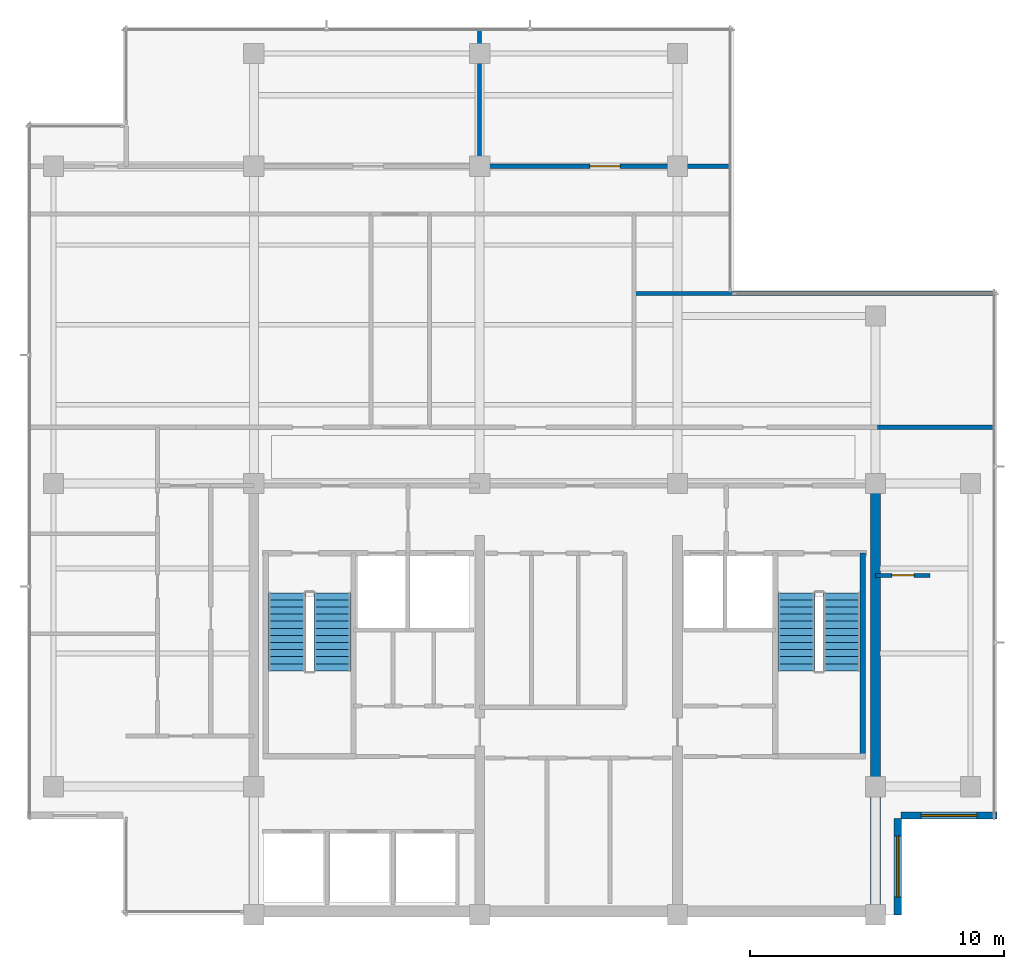
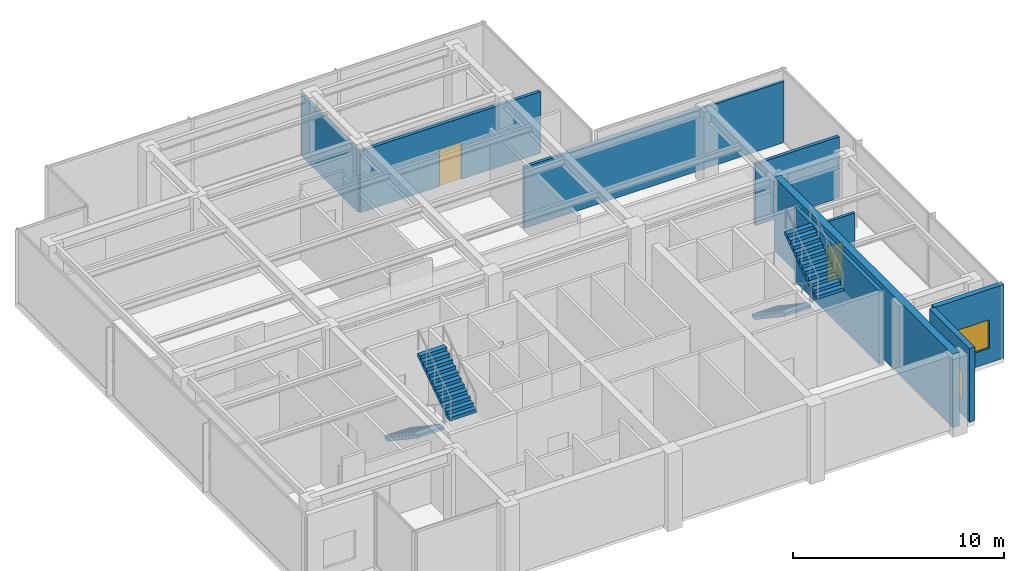
# One storey, part 8 of 11: 9 walls, 4 stair flights, 2 doors, 2 windows, 4 openings, 2 elements without a shape of their own.
"""IFC4 building model written with IfcOpenShell, lengths in metres."""

from ifc_helpers import new_model, si_unit, direction, frame, frame_2d, origin, place, context, subcontext, project, spatial, polyline, rectangle, outline, extrude, material, layer, layer_set, type_object, element, fill, aggregate, save


model = new_model("IFC4")

# Units and contexts
model_context = context("Model", 3, precision=1e-05, world=origin(), true_north=direction((0.0, 1.0)))
body_context = subcontext(model_context, "Body", "Model", "MODEL_VIEW")
ifc_project = project(units=[si_unit("LENGTHUNIT", "METRE"), si_unit("AREAUNIT", "SQUARE_METRE"), si_unit("VOLUMEUNIT", "CUBIC_METRE"), si_unit("PLANEANGLEUNIT", "RADIAN"), si_unit("MASSUNIT", "GRAM", prefix="KILO")], contexts=[model_context])

# Site, building, storey
site_placement = place(None, origin())
site = spatial("IfcSite", under=ifc_project, at=site_placement, CompositionType="ELEMENT")
building_placement = place(site_placement, origin())
building = spatial("IfcBuilding", under=site, at=building_placement, Name="Qalmaran Belvedere Hotel", CompositionType="ELEMENT")
storey_placement = place(building_placement, frame((0.0, 0.0, 280.89990234375)))
storey = spatial("IfcBuildingStorey", under=building, at=storey_placement, Name="L73", CompositionType="ELEMENT", Elevation=280.89990234375)

# Wall
ifc_material_1 = material(Name="Concrete C50/60", Category="concrete")
ifc_layer_1 = layer(ifc_material_1, 0.3798828125, Name="Concrete C50/60")
ifc_layer_set_1 = layer_set([ifc_layer_1], Name="Concrete C50/60")
wall_type_1 = type_object("IfcWallType", Name="WL-CORE-380-C50", PredefinedType="SHEAR", material=ifc_layer_set_1)
wall_1_placement = place(storey_placement, frame((44.800048828125, 3.5, 0.0), z_axis=(0.0, 0.0, 1.0), x_axis=(0.0, 1.0, 0.0)))
element("IfcWall", 1, at=wall_1_placement, inside=storey, type_object=wall_type_1, Name="L73 East Core Shear Wall", PredefinedType="SHEAR", context=body_context, shape_type="SweptSolid", body=[
    extrude(rectangle(XDim=16.89990234375, YDim=0.3798828125, at=frame_2d((8.449951171875, 0.0))), origin(), (0.0, 0.0, 1.0), 4.260009765625),
])

# Wall, opening, window
ifc_material_2 = material(Name="Anodised Bronze Cladding")
ifc_layer_2 = layer(ifc_material_2, 0.280029296875, Name="Anodised Bronze Cladding")
ifc_layer_set_2 = layer_set([ifc_layer_2], Name="Anodised Bronze Cladding")
wall_type_2 = type_object("IfcWallType", Name="WL-EXT-BRNZ-280", PredefinedType="SOLIDWALL", material=ifc_layer_set_2)
wall_2_placement = place(storey_placement, frame((45.679931640625, 3.5, 0.0), z_axis=(0.0, 0.0, 1.0), x_axis=(0.0, 1.0, 0.0)))
wall_2 = element("IfcWall", 2, at=wall_2_placement, inside=storey, type_object=wall_type_2, Name="L73 Corner Notch Wall 1", PredefinedType="SOLIDWALL", context=body_context, shape_type="SweptSolid", body=[
    extrude(rectangle(XDim=3.800048828125, YDim=0.280029296875, at=frame_2d((1.89990234375, 0.0))), origin(), (0.0, 0.0, 1.0), 4.260009765625),
])
opening_1_placement = place(wall_2_placement, frame((0.699951171875, 0.0, 0.85009765625)))
opening_1 = element("IfcOpeningElement", 3, at=opening_1_placement, cuts=wall_2, Name="Opening W-N24", PredefinedType="OPENING", context=body_context, shape_type="SweptSolid", body=[
    extrude(rectangle(XDim=2.39990234375, YDim=1.64990234375, at=frame_2d((1.199951171875, 0.824951171875))), frame((0.0, 0.14990234375, 0.0), z_axis=(0.0, -1.0, 0.0), x_axis=(1.0, 0.0, 0.0)), (0.0, 0.0, 1.0), 0.300048828125),
])
ifc_material_3 = material(Name="Solar-Control Double Glazing", Category="glass")
window_type_1 = type_object("IfcWindowType", Name="WN-NTC-2400X1650", PartitioningType="SINGLE_PANEL", PredefinedType="WINDOW", material=ifc_material_3)
window_1_placement = place(opening_1_placement, origin())
window_1 = element("IfcWindow", 4, at=window_1_placement, inside=storey, type_object=window_type_1, Name="L73 Corner Notch Window 1", OverallHeight=1.64990234375, OverallWidth=2.39990234375, PartitioningType="SINGLE_PANEL", PredefinedType="WINDOW", context=body_context, shape_type="SweptSolid", body=[
    extrude(rectangle(XDim=2.39990234375, YDim=1.64990234375, at=frame_2d((1.199951171875, 0.824951171875))), frame((0.0, 0.030029296875, 0.0), z_axis=(0.0, -1.0, 0.0), x_axis=(1.0, 0.0, 0.0)), (0.0, 0.0, 1.0), 0.06005859375),
])
fill(opening_1, window_1)

wall_3_placement = place(storey_placement, frame((45.800048828125, 7.419921875, 0.0), z_axis=(0.0, 0.0, 1.0), x_axis=(1.0, 0.0, 0.0)))
wall_3 = element("IfcWall", 5, at=wall_3_placement, inside=storey, type_object=wall_type_2, Name="L73 Corner Notch Wall 2", PredefinedType="SOLIDWALL", context=body_context, shape_type="SweptSolid", body=[
    extrude(rectangle(XDim=3.800048828125, YDim=0.280029296875, at=frame_2d((1.89990234375, 0.0))), origin(), (0.0, 0.0, 1.0), 4.260009765625),
])
opening_2_placement = place(wall_3_placement, frame((0.800048828125, 0.0, 0.85009765625)))
opening_2 = element("IfcOpeningElement", 6, at=opening_2_placement, cuts=wall_3, Name="Opening W-N22", PredefinedType="OPENING", context=body_context, shape_type="SweptSolid", body=[
    extrude(rectangle(XDim=2.199951171875, YDim=1.64990234375, at=frame_2d((1.10009765625, 0.824951171875))), frame((0.0, 0.14990234375, 0.0), z_axis=(0.0, -1.0, 0.0), x_axis=(1.0, 0.0, 0.0)), (0.0, 0.0, 1.0), 0.300048828125),
])
window_type_2 = type_object("IfcWindowType", Name="WN-NTC-2200X1650", PartitioningType="SINGLE_PANEL", PredefinedType="WINDOW", material=ifc_material_3)
window_2_placement = place(opening_2_placement, origin())
window_2 = element("IfcWindow", 7, at=window_2_placement, inside=storey, type_object=window_type_2, Name="L73 Corner Notch Window 2", OverallHeight=1.64990234375, OverallWidth=2.199951171875, PartitioningType="SINGLE_PANEL", PredefinedType="WINDOW", context=body_context, shape_type="SweptSolid", body=[
    extrude(rectangle(XDim=2.199951171875, YDim=1.64990234375, at=frame_2d((1.10009765625, 0.824951171875))), frame((0.0, 0.030029296875, 0.0), z_axis=(0.0, -1.0, 0.0), x_axis=(1.0, 0.0, 0.0)), (0.0, 0.0, 1.0), 0.06005859375),
])
fill(opening_2, window_2)

# Wall, opening, door
ifc_material_4 = material(Name="Gypsum Stud Partition")
ifc_layer_3 = layer(ifc_material_4, 0.159912109375, Name="Gypsum Stud Partition")
ifc_layer_set_3 = layer_set([ifc_layer_3], Name="Gypsum Stud Partition")
wall_type_3 = type_object("IfcWallType", Name="WL-INT-160-EI60", PredefinedType="PARTITIONING", material=ifc_layer_set_3)
wall_4_placement = place(storey_placement, frame((44.800048828125, 16.8798828125, 0.0), z_axis=(0.0, 0.0, 1.0), x_axis=(1.0, 0.0, 0.0)))
wall_4 = element("IfcWall", 8, at=wall_4_placement, inside=storey, type_object=wall_type_3, Name="L73 Partition WL-L73-ECE", PredefinedType="PARTITIONING", context=body_context, shape_type="SweptSolid", body=[
    extrude(rectangle(XDim=2.14990234375, YDim=0.159912109375, at=frame_2d((1.074951171875, 0.0))), origin(), (0.0, 0.0, 1.0), 3.550048828125),
])
opening_3_placement = place(wall_4_placement, frame((1.52978515625, 0.0, 0.0), z_axis=(0.0, 0.0, 1.0), x_axis=(-1.0, 0.0, 0.0)))
opening_3 = element("IfcOpeningElement", 9, at=opening_3_placement, cuts=wall_4, Name="Opening FD60B", PredefinedType="OPENING", context=body_context, shape_type="SweptSolid", body=[
    extrude(rectangle(XDim=0.8798828125, YDim=2.080078125, at=frame_2d((0.43994140625, 1.0400390625))), frame((0.0, 0.08984375, 0.0), z_axis=(0.0, -1.0, 0.0), x_axis=(1.0, 0.0, 0.0)), (0.0, 0.0, 1.0), 0.179931640625),
])
ifc_material_5 = material(Name="Steel S355JR", Category="steel")
door_type_1 = type_object("IfcDoorType", Name="DR-FD60B-880X2080", OperationType="NOTDEFINED", PredefinedType="DOOR", material=ifc_material_5)
door_1_placement = place(opening_3_placement, origin())
door_1 = element("IfcDoor", 10, at=door_1_placement, inside=storey, type_object=door_type_1, Name="L73 Sky Finishing Kitchen Door", OperationType="SINGLE_SWING_LEFT", OverallHeight=2.080078125, OverallWidth=0.8798828125, PredefinedType="DOOR", context=body_context, shape_type="SweptSolid", body=[
    extrude(rectangle(XDim=0.8798828125, YDim=2.080078125, at=frame_2d((0.43994140625, 1.0400390625))), frame((0.0, 0.02490234375, 0.0), z_axis=(0.0, -1.0, 0.0), x_axis=(1.0, 0.0, 0.0)), (0.0, 0.0, 1.0), 0.050048828125),
])
fill(opening_3, door_1)

# Walls
wall_5_placement = place(storey_placement, frame((35.280029296875, 27.97998046875, 0.0), z_axis=(0.0, 0.0, 1.0), x_axis=(1.0, 0.0, 0.0)))
element("IfcWall", 11, at=wall_5_placement, inside=storey, type_object=wall_type_3, Name="L73 Partition WL-L73-SOMN", PredefinedType="PARTITIONING", context=body_context, shape_type="SweptSolid", body=[
    extrude(rectangle(XDim=14.199951171875, YDim=0.159912109375, at=frame_2d((7.10009765625, 0.0))), origin(), (0.0, 0.0, 1.0), 3.550048828125),
])
wall_6_placement = place(storey_placement, frame((29.199951171875, 33.0, 0.0), z_axis=(0.0, 0.0, 1.0), x_axis=(0.0, 1.0, 0.0)))
element("IfcWall", 12, at=wall_6_placement, inside=storey, type_object=wall_type_3, Name="L73 Partition WL-L73-NFV1", PredefinedType="PARTITIONING", context=body_context, shape_type="SweptSolid", body=[
    extrude(rectangle(XDim=5.3798828125, YDim=0.159912109375, at=frame_2d((2.68994140625, 0.0))), origin(), (0.0, 0.0, 1.0), 3.550048828125),
])
ifc_layer_4 = layer(ifc_material_4, 0.179931640625, Name="Gypsum Stud Partition")
ifc_layer_set_4 = layer_set([ifc_layer_4], Name="Gypsum Stud Partition")
wall_type_4 = type_object("IfcWallType", Name="WL-INT-180-EI60", PredefinedType="PARTITIONING", material=ifc_layer_set_4)
wall_7_placement = place(storey_placement, frame((44.8798828125, 22.719970703125, 0.0), z_axis=(0.0, 0.0, 1.0), x_axis=(1.0, 0.0, 0.0)))
element("IfcWall", 13, at=wall_7_placement, inside=storey, type_object=wall_type_4, Name="L73 Partition WL-L73-MCS2C", PredefinedType="PARTITIONING", context=body_context, shape_type="SweptSolid", body=[
    extrude(rectangle(XDim=4.60009765625, YDim=0.179931640625, at=frame_2d((2.300048828125, 0.0))), origin(), (0.0, 0.0, 1.0), 3.550048828125),
])

# Wall, opening, door
wall_8_placement = place(storey_placement, frame((29.199951171875, 33.0, 0.0), z_axis=(0.0, 0.0, 1.0), x_axis=(1.0, 0.0, 0.0)))
wall_8 = element("IfcWall", 14, at=wall_8_placement, inside=storey, type_object=wall_type_4, Name="L73 Partition WL-L73-NF33D2", PredefinedType="PARTITIONING", context=body_context, shape_type="SweptSolid", body=[
    extrude(rectangle(XDim=9.880126953125, YDim=0.179931640625, at=frame_2d((4.93994140625, 0.0))), origin(), (0.0, 0.0, 1.0), 3.550048828125),
])
opening_4_placement = place(wall_8_placement, frame((4.340087890625, 0.0, 0.0)))
opening_4 = element("IfcOpeningElement", 15, at=opening_4_placement, cuts=wall_8, Name="Opening FD60P", PredefinedType="OPENING", context=body_context, shape_type="SweptSolid", body=[
    extrude(rectangle(XDim=1.199951171875, YDim=2.139892578125, at=frame_2d((0.60009765625, 1.06982421875))), frame((0.0, 0.10009765625, 0.0), z_axis=(0.0, -1.0, 0.0), x_axis=(1.0, 0.0, 0.0)), (0.0, 0.0, 1.0), 0.199951171875),
])
ifc_material_6 = material(Name="Engineered Oak Veneer")
door_type_2 = type_object("IfcDoorType", Name="DR-FD60P-1200X2140", OperationType="NOTDEFINED", PredefinedType="DOOR", material=ifc_material_6)
door_2_placement = place(opening_4_placement, origin())
door_2 = element("IfcDoor", 16, at=door_2_placement, inside=storey, type_object=door_type_2, Name="L73 Panoramic Dining Salon Door", OperationType="DOUBLE_DOOR_SINGLE_SWING", OverallHeight=2.139892578125, OverallWidth=1.199951171875, PredefinedType="DOOR", context=body_context, shape_type="SweptSolid", body=[
    extrude(rectangle(XDim=1.199951171875, YDim=2.139892578125, at=frame_2d((0.60009765625, 1.06982421875))), frame((0.0, 0.02490234375, 0.0), z_axis=(0.0, -1.0, 0.0), x_axis=(1.0, 0.0, 0.0)), (0.0, 0.0, 1.0), 0.050048828125),
])
fill(opening_4, door_2)

# Wall
ifc_layer_5 = layer(ifc_material_1, 0.2099609375, Name="Concrete C50/60")
ifc_layer_set_5 = layer_set([ifc_layer_5], Name="Concrete C50/60")
wall_type_5 = type_object("IfcWallType", Name="WL-STAIR-210-C50", PredefinedType="SHEAR", material=ifc_layer_set_5)
wall_9_placement = place(storey_placement, frame((44.304931640625, 9.7451171875, 0.0), z_axis=(0.0, 0.0, 1.0), x_axis=(0.0, 1.0, 0.0)))
element("IfcWall", 17, at=wall_9_placement, inside=storey, type_object=wall_type_5, Name="L73 Stair ST-2 East Bearing Wall", PredefinedType="SHEAR", context=body_context, shape_type="SweptSolid", body=[
    extrude(rectangle(XDim=8.009765625, YDim=0.2099609375, at=frame_2d((4.0048828125, 0.0))), origin(), (0.0, 0.0, 1.0), 4.260009765625),
])

# Stair, stair flights
ifc_material_7 = material(Name="Concrete C40/50", Category="concrete")
stair_type_1 = type_object("IfcStairType", Name="STR-ST-1-1450-R1875", PredefinedType="HALF_TURN_STAIR", material=ifc_material_7)
stair_1_placement = place(storey_placement, origin())
stair_1 = element("IfcStair", 18, at=stair_1_placement, inside=storey, type_object=stair_type_1, Name="L73 West Core Exit Stair ST-1", PredefinedType="HALF_TURN_STAIR")
ifc_layer_6 = layer(ifc_material_7, 0.14990234375, Name="Concrete C40/50")
ifc_layer_set_6 = layer_set([ifc_layer_6], Name="Concrete C40/50")
stair_flight_type_1 = type_object("IfcStairFlightType", Name="STF-ST-1-1450-R1875", PredefinedType="STRAIGHT", material=ifc_layer_set_6)
stair_flight_1_placement = place(storey_placement, frame((21.60498046875, 16.18994140625, 0.0), z_axis=(0.0, 0.0, 1.0), x_axis=(0.0, -1.0, 0.0)))
stair_flight_1 = element("IfcStairFlight", 19, at=stair_flight_1_placement, type_object=stair_flight_type_1, Name="ST-1 flight 1", NumberOfRisers=12, NumberOfTreads=11, PredefinedType="STRAIGHT", RiserHeight=0.1875, TreadLength=0.28, context=body_context, shape_type="SweptSolid", body=[
    extrude(outline(polyline([(0.0, 0.0), (0.0, 0.1875), (0.280029296875, 0.1875), (0.280029296875, 0.375), (0.56005859375, 0.375), (0.56005859375, 0.5625), (0.840087890625, 0.5625), (0.840087890625, 0.75), (1.1201171875, 0.75), (1.1201171875, 0.9375), (1.39990234375, 0.9375), (1.39990234375, 1.125), (1.679931640625, 1.125), (1.679931640625, 1.3125), (1.9599609375, 1.3125), (1.9599609375, 1.5), (2.239990234375, 1.5), (2.239990234375, 1.6875), (2.52001953125, 1.6875), (2.52001953125, 1.875), (2.800048828125, 1.875), (2.800048828125, 2.0625), (3.080078125, 2.0625), (3.080078125, 2.25), (3.080078125, 1.882080078125), (0.26953125, 0.0), (0.0, 0.0)])), frame((0.0, 0.72509765625, 0.0), z_axis=(0.0, -1.0, 0.0), x_axis=(1.0, 0.0, 0.0)), (0.0, 0.0, 1.0), 1.449951171875),
])
stair_flight_2_placement = place(storey_placement, frame((23.39501953125, 13.110107421875, 2.25), z_axis=(0.0, 0.0, 1.0), x_axis=(0.0, 1.0, 0.0)))
stair_flight_2 = element("IfcStairFlight", 20, at=stair_flight_2_placement, type_object=stair_flight_type_1, Name="ST-1 flight 2", NumberOfRisers=12, NumberOfTreads=11, PredefinedType="STRAIGHT", RiserHeight=0.1875, TreadLength=0.28, context=body_context, shape_type="SweptSolid", body=[
    extrude(outline(polyline([(0.0, 0.0), (0.0, 0.1875), (0.280029296875, 0.1875), (0.280029296875, 0.375), (0.56005859375, 0.375), (0.56005859375, 0.5625), (0.840087890625, 0.5625), (0.840087890625, 0.75), (1.1201171875, 0.75), (1.1201171875, 0.9375), (1.39990234375, 0.9375), (1.39990234375, 1.125), (1.679931640625, 1.125), (1.679931640625, 1.3125), (1.9599609375, 1.3125), (1.9599609375, 1.5), (2.239990234375, 1.5), (2.239990234375, 1.6875), (2.52001953125, 1.6875), (2.52001953125, 1.875), (2.800048828125, 1.875), (2.800048828125, 2.0625), (3.080078125, 2.0625), (3.080078125, 2.25), (3.080078125, 1.882080078125), (0.26953125, 0.0), (0.0, 0.0)])), frame((0.0, 0.72509765625, 0.0), z_axis=(0.0, -1.0, 0.0), x_axis=(1.0, 0.0, 0.0)), (0.0, 0.0, 1.0), 1.449951171875),
])
aggregate(stair_1, [stair_flight_1, stair_flight_2])

stair_type_2 = type_object("IfcStairType", Name="STR-ST-2-1450-R1875", PredefinedType="HALF_TURN_STAIR", material=ifc_material_7)
stair_2_placement = place(storey_placement, origin())
stair_2 = element("IfcStair", 21, at=stair_2_placement, inside=storey, type_object=stair_type_2, Name="L73 East Core Exit Stair ST-2", PredefinedType="HALF_TURN_STAIR")
ifc_layer_7 = layer(ifc_material_7, 0.14990234375, Name="Concrete C40/50")
ifc_layer_set_7 = layer_set([ifc_layer_7], Name="Concrete C40/50")
stair_flight_type_2 = type_object("IfcStairFlightType", Name="STF-ST-2-1450-R1875", PredefinedType="STRAIGHT", material=ifc_layer_set_7)
stair_flight_3_placement = place(storey_placement, frame((41.68505859375, 16.18994140625, 0.0), z_axis=(0.0, 0.0, 1.0), x_axis=(0.0, -1.0, 0.0)))
stair_flight_3 = element("IfcStairFlight", 22, at=stair_flight_3_placement, type_object=stair_flight_type_2, Name="ST-2 flight 1", NumberOfRisers=12, NumberOfTreads=11, PredefinedType="STRAIGHT", RiserHeight=0.1875, TreadLength=0.28, context=body_context, shape_type="SweptSolid", body=[
    extrude(outline(polyline([(0.0, 0.0), (0.0, 0.1875), (0.280029296875, 0.1875), (0.280029296875, 0.375), (0.56005859375, 0.375), (0.56005859375, 0.5625), (0.840087890625, 0.5625), (0.840087890625, 0.75), (1.1201171875, 0.75), (1.1201171875, 0.9375), (1.39990234375, 0.9375), (1.39990234375, 1.125), (1.679931640625, 1.125), (1.679931640625, 1.3125), (1.9599609375, 1.3125), (1.9599609375, 1.5), (2.239990234375, 1.5), (2.239990234375, 1.6875), (2.52001953125, 1.6875), (2.52001953125, 1.875), (2.800048828125, 1.875), (2.800048828125, 2.0625), (3.080078125, 2.0625), (3.080078125, 2.25), (3.080078125, 1.882080078125), (0.26953125, 0.0), (0.0, 0.0)])), frame((0.0, 0.72509765625, 0.0), z_axis=(0.0, -1.0, 0.0), x_axis=(1.0, 0.0, 0.0)), (0.0, 0.0, 1.0), 1.449951171875),
])
stair_flight_4_placement = place(storey_placement, frame((43.47509765625, 13.110107421875, 2.25), z_axis=(0.0, 0.0, 1.0), x_axis=(0.0, 1.0, 0.0)))
stair_flight_4 = element("IfcStairFlight", 23, at=stair_flight_4_placement, type_object=stair_flight_type_2, Name="ST-2 flight 2", NumberOfRisers=12, NumberOfTreads=11, PredefinedType="STRAIGHT", RiserHeight=0.1875, TreadLength=0.28, context=body_context, shape_type="SweptSolid", body=[
    extrude(outline(polyline([(0.0, 0.0), (0.0, 0.1875), (0.280029296875, 0.1875), (0.280029296875, 0.375), (0.56005859375, 0.375), (0.56005859375, 0.5625), (0.840087890625, 0.5625), (0.840087890625, 0.75), (1.1201171875, 0.75), (1.1201171875, 0.9375), (1.39990234375, 0.9375), (1.39990234375, 1.125), (1.679931640625, 1.125), (1.679931640625, 1.3125), (1.9599609375, 1.3125), (1.9599609375, 1.5), (2.239990234375, 1.5), (2.239990234375, 1.6875), (2.52001953125, 1.6875), (2.52001953125, 1.875), (2.800048828125, 1.875), (2.800048828125, 2.0625), (3.080078125, 2.0625), (3.080078125, 2.25), (3.080078125, 1.882080078125), (0.26953125, 0.0), (0.0, 0.0)])), frame((0.0, 0.72509765625, 0.0), z_axis=(0.0, -1.0, 0.0), x_axis=(1.0, 0.0, 0.0)), (0.0, 0.0, 1.0), 1.449951171875),
])
aggregate(stair_2, [stair_flight_3, stair_flight_4])

save(model, "model.ifc")
